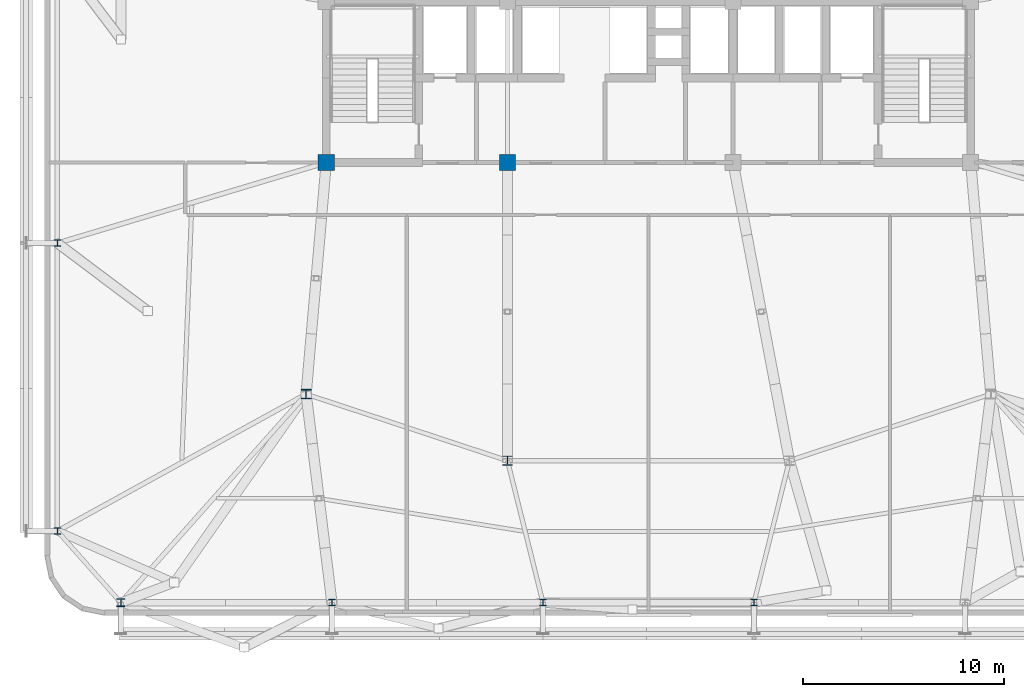
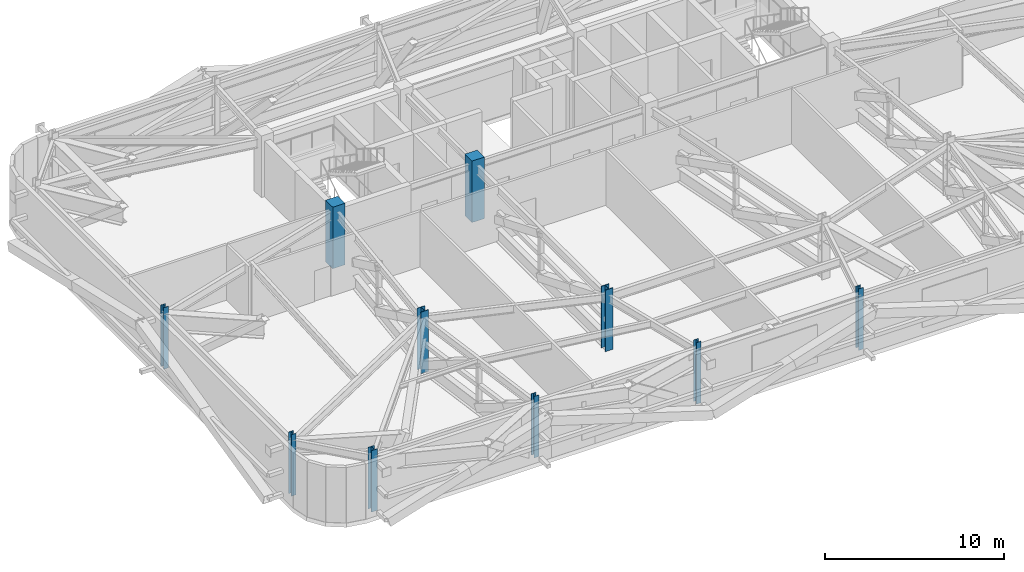
# One storey, part 1 of 24: 10 columns.
"""IFC4 building model written with IfcOpenShell, lengths in metres."""

from ifc_helpers import new_model, si_unit, direction, frame, origin, origin_2d, place, context, subcontext, project, spatial, rectangle, i_section, extrude, source, transform, mapped, material, material_profile, profile_set, type_object, element, save


model = new_model("IFC4")

# Units and contexts
model_context = context("Model", 3, precision=1e-05, world=origin(), true_north=direction((0.0, 1.0)))
body_context = subcontext(model_context, "Body", "Model", "MODEL_VIEW")
ifc_project = project(units=[si_unit("LENGTHUNIT", "METRE"), si_unit("AREAUNIT", "SQUARE_METRE"), si_unit("VOLUMEUNIT", "CUBIC_METRE"), si_unit("PLANEANGLEUNIT", "RADIAN"), si_unit("MASSUNIT", "GRAM", prefix="KILO")], contexts=[model_context])

# Site, building, storey
site_placement = place(None, origin())
site = spatial("IfcSite", under=ifc_project, at=site_placement, CompositionType="ELEMENT")
building_placement = place(site_placement, origin())
building = spatial("IfcBuilding", under=site, at=building_placement, Name="Taldren Reach Tower", CompositionType="ELEMENT")
storey_placement = place(building_placement, frame((0.0, 0.0, 60.89990234375)))
storey = spatial("IfcBuildingStorey", under=building, at=storey_placement, Name="L18", CompositionType="ELEMENT", Elevation=60.89990234375)

# Columns
ifc_material_1 = material(Name="Concrete S65 (65 MPa)", Category="concrete")
ifc_material_profile_1 = material_profile(ifc_material_1, rectangle(XDim=0.800048828125, YDim=0.800048828125, at=origin_2d()), Name="RC-800x800")
ifc_profile_set_1 = profile_set([ifc_material_profile_1], Name="Concrete S65 (65 MPa)")
column_type_1 = type_object("IfcColumnType", Name="COL-RC800", PredefinedType="COLUMN", material=ifc_profile_set_1)
shared_shape_1 = source(origin(), body_context, "Body", "SweptSolid", [
    extrude(rectangle(XDim=0.800048828125, YDim=0.800048828125, at=origin_2d()), origin(), (0.0, 0.0, 1.0), 4.2001953125),
])
for number, where, z_axis, x_axis, name in (
    (1, (19.0, 24.0, 0.0), (0.0, 0.0, 1.0), (1.0, 0.0, 0.0), "Mega column MC-C1 L18"),
    (2, (28.0, 24.0, 0.0), (0.0, 0.0, 1.0), (1.0, 0.0, 0.0), "Mega column MC-C2 L18"),
):
    element("IfcColumn", number, at=place(storey_placement, frame(where, z_axis=z_axis, x_axis=x_axis)), inside=storey, type_object=column_type_1, Name=name, PredefinedType="COLUMN", context=body_context, shape_type="MappedRepresentation", body=[
        mapped(shared_shape_1, transform((0.0, 0.0, 0.0), scale=1.0)),
    ])
ifc_material_2 = material(Name="Steel Gr 350 (350PLUS)", Category="steel")
ifc_material_profile_2 = material_profile(ifc_material_2, i_section(OverallWidth=0.5, OverallDepth=0.47998046875, WebThickness=0.028076171875, FlangeThickness=0.0439453125, at=origin_2d()), Name="500WC440")
ifc_profile_set_2 = profile_set([ifc_material_profile_2], Name="Steel Gr 350 (350PLUS)")
column_type_2 = type_object("IfcColumnType", Name="COL-WC500A", PredefinedType="COLUMN", material=ifc_profile_set_2)
shared_shape_2 = source(origin(), body_context, "Body", "SweptSolid", [
    extrude(i_section(OverallWidth=0.5, OverallDepth=0.47998046875, WebThickness=0.028076171875, FlangeThickness=0.0439453125, at=origin_2d()), origin(), (0.0, 0.0, 1.0), 4.2001953125),
])
column_1_placement = place(storey_placement, frame((28.0, 9.199951171875, 0.0), z_axis=(0.0, 0.0, 1.0), x_axis=(1.0, 0.0, 0.0)))
element("IfcColumn", 3, at=column_1_placement, inside=storey, type_object=column_type_2, Name="Mega column MC-PJW L18", PredefinedType="COLUMN", context=body_context, shape_type="MappedRepresentation", body=[
    mapped(shared_shape_2, transform((0.0, 0.0, 0.0), scale=1.0)),
])
ifc_material_profile_3 = material_profile(ifc_material_2, i_section(OverallWidth=0.5, OverallDepth=0.464111328125, WebThickness=0.02197265625, FlangeThickness=0.033935546875, at=origin_2d()), Name="500WC340")
ifc_profile_set_3 = profile_set([ifc_material_profile_3], Name="Steel Gr 350 (350PLUS)")
column_type_3 = type_object("IfcColumnType", Name="COL-WC500B", PredefinedType="COLUMN", material=ifc_profile_set_3)
shared_shape_3 = source(origin(), body_context, "Body", "SweptSolid", [
    extrude(i_section(OverallWidth=0.5, OverallDepth=0.464111328125, WebThickness=0.02197265625, FlangeThickness=0.033935546875, at=origin_2d()), origin(), (0.0, 0.0, 1.0), 4.2001953125),
])
column_2_placement = place(storey_placement, frame((18.0, 12.5, 0.0), z_axis=(0.0, 0.0, 1.0), x_axis=(1.0, 0.0, 0.0)))
element("IfcColumn", 4, at=column_2_placement, inside=storey, type_object=column_type_3, Name="Mega column MC-SW L18", PredefinedType="COLUMN", context=body_context, shape_type="MappedRepresentation", body=[
    mapped(shared_shape_3, transform((0.0, 0.0, 0.0), scale=1.0)),
])
ifc_material_profile_4 = material_profile(ifc_material_2, i_section(OverallWidth=0.39990234375, OverallDepth=0.39599609375, WebThickness=0.02197265625, FlangeThickness=0.033935546875, at=origin_2d()), Name="400WC270")
ifc_profile_set_4 = profile_set([ifc_material_profile_4], Name="Steel Gr 350 (350PLUS)")
column_type_4 = type_object("IfcColumnType", Name="COL-WC400", PredefinedType="COLUMN", material=ifc_profile_set_4)
shared_shape_4 = source(origin(), body_context, "Body", "SweptSolid", [
    extrude(i_section(OverallWidth=0.39990234375, OverallDepth=0.39599609375, WebThickness=0.02197265625, FlangeThickness=0.033935546875, at=origin_2d()), origin(), (0.0, 0.0, 1.0), 4.2001953125),
])
column_3_placement = place(storey_placement, frame((8.800048828125, 2.14990234375, 0.0), z_axis=(0.0, 0.0, 1.0), x_axis=(1.0, 0.0, 0.0)))
element("IfcColumn", 5, at=column_3_placement, inside=storey, type_object=column_type_4, Name="Block B1 perimeter column S1 L18", PredefinedType="COLUMN", context=body_context, shape_type="MappedRepresentation", body=[
    mapped(shared_shape_4, transform((0.0, 0.0, 0.0), scale=1.0)),
])
ifc_material_profile_5 = material_profile(ifc_material_2, i_section(OverallWidth=0.31103515625, OverallDepth=0.326904296875, WebThickness=0.015625, FlangeThickness=0.02490234375, at=origin_2d()), Name="310UC158")
ifc_profile_set_5 = profile_set([ifc_material_profile_5], Name="Steel Gr 350 (350PLUS)")
column_type_5 = type_object("IfcColumnType", Name="COL-UC310A", PredefinedType="COLUMN", material=ifc_profile_set_5)
shared_shape_5 = source(origin(), body_context, "Body", "SweptSolid", [
    extrude(i_section(OverallWidth=0.31103515625, OverallDepth=0.326904296875, WebThickness=0.015625, FlangeThickness=0.02490234375, at=origin_2d()), origin(), (0.0, 0.0, 1.0), 4.2001953125),
])
for number, where, z_axis, x_axis, name in (
    (6, (19.280029296875, 2.14990234375, 0.0), (0.0, 0.0, 1.0), (1.0, 0.0, 0.0), "Block B1 perimeter column S2 L18"),
    (7, (29.760009765625, 2.14990234375, 0.0), (0.0, 0.0, 1.0), (1.0, 0.0, 0.0), "Block B1 perimeter column S3 L18"),
    (8, (40.239990234375, 2.14990234375, 0.0), (0.0, 0.0, 1.0), (1.0, 0.0, 0.0), "Block B1 perimeter column S4 L18"),
    (9, (5.64990234375, 5.699951171875, 0.0), (0.0, 0.0, 1.0), (1.0, 0.0, 0.0), "Block B1 perimeter column W1 L18"),
    (10, (5.64990234375, 20.0, 0.0), (0.0, 0.0, 1.0), (1.0, 0.0, 0.0), "Block B1 perimeter column W2 L18"),
):
    element("IfcColumn", number, at=place(storey_placement, frame(where, z_axis=z_axis, x_axis=x_axis)), inside=storey, type_object=column_type_5, Name=name, PredefinedType="COLUMN", context=body_context, shape_type="MappedRepresentation", body=[
        mapped(shared_shape_5, transform((0.0, 0.0, 0.0), scale=1.0)),
    ])

save(model, "model.ifc")
